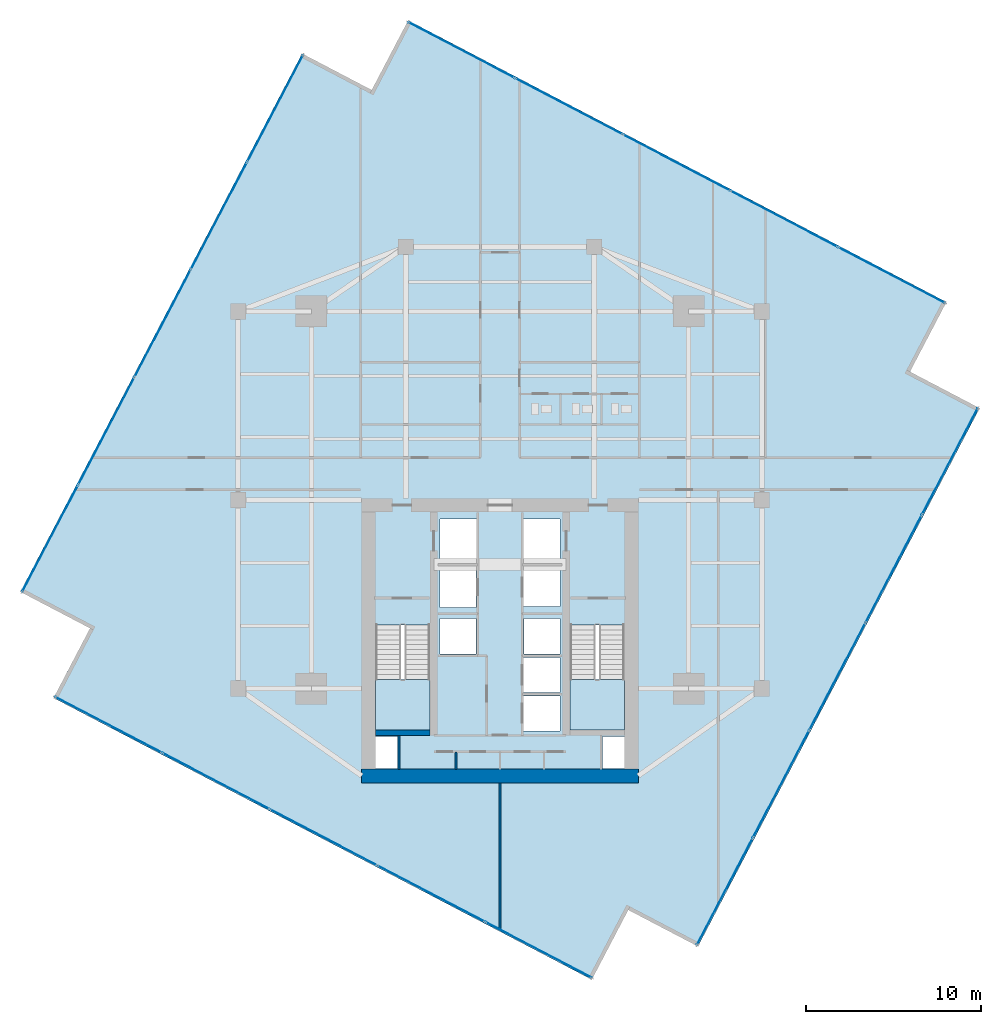
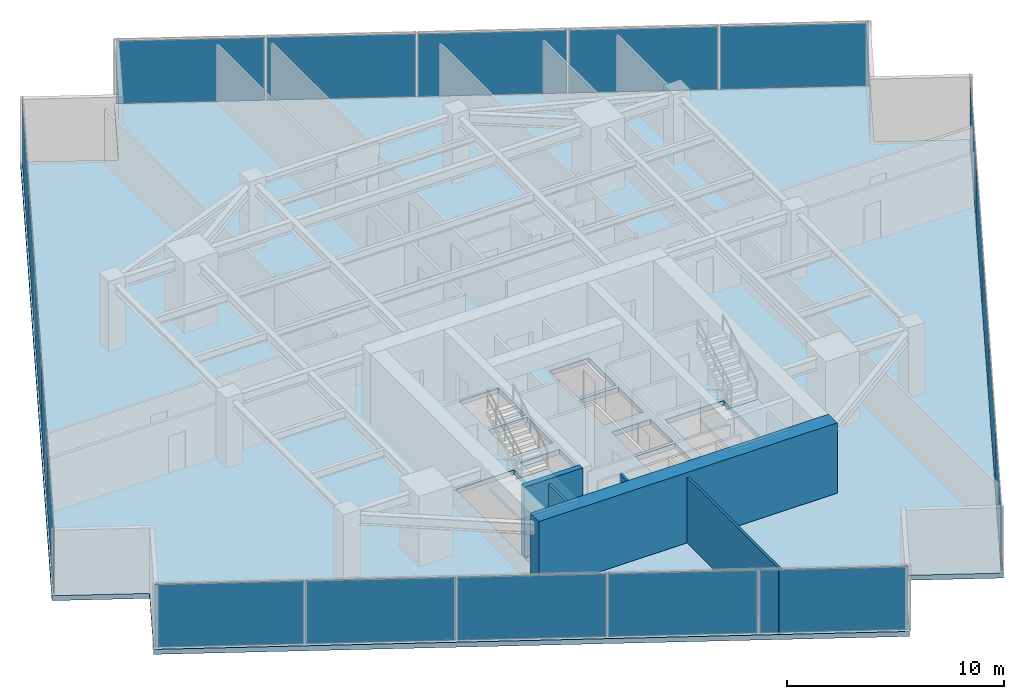
# One storey, part 22 of 27: 20 plates, 5 walls, 3 slabs, 6 elements without a shape of their own.
"""IFC4 building model written with IfcOpenShell, lengths in metres."""

from ifc_helpers import new_model, si_unit, direction, frame, frame_2d, origin, origin_2d, place, context, subcontext, project, spatial, polyline, rectangle, outline, extrude, source, transform, mapped, material, layer, layer_set, type_object, type_shapes, element, aggregate, save


model = new_model("IFC4")

# Units and contexts
model_context = context("Model", 3, precision=1e-05, world=origin(), true_north=direction((0.0, 1.0)))
body_context = subcontext(model_context, "Body", "Model", "MODEL_VIEW")
ifc_project = project(units=[si_unit("LENGTHUNIT", "METRE"), si_unit("AREAUNIT", "SQUARE_METRE"), si_unit("VOLUMEUNIT", "CUBIC_METRE"), si_unit("PLANEANGLEUNIT", "RADIAN"), si_unit("MASSUNIT", "GRAM", prefix="KILO")], contexts=[model_context])

# Site, building, storey
site_placement = place(None, origin())
site = spatial("IfcSite", under=ifc_project, at=site_placement, CompositionType="ELEMENT")
building_placement = place(site_placement, origin())
building = spatial("IfcBuilding", under=site, at=building_placement, Name="Krantzveldt Concourse Tower", CompositionType="ELEMENT")
storey_placement = place(building_placement, frame((0.0, 0.0, 154.10009765625)))
storey = spatial("IfcBuildingStorey", under=building, at=storey_placement, Name="L37", CompositionType="ELEMENT", Elevation=154.10009765625)

# Stair, slab
ifc_material_1 = material(Name="Precast concrete C40/50", Category="concrete")
stair_type = type_object("IfcStairType", Name="STR-CORE-DOGLEG", PredefinedType="HALF_TURN_STAIR", material=ifc_material_1)
stair_1_placement = place(storey_placement, origin())
stair_1 = element("IfcStair", 1, at=stair_1_placement, inside=storey, type_object=stair_type, Name="L37 Protected Escape Stair ST-1", PredefinedType="HALF_TURN_STAIR")
ifc_layer_1 = layer(ifc_material_1, 0.199951171875, Name="Precast concrete C40/50", Category="concrete")
ifc_layer_set_1 = layer_set([ifc_layer_1], Name="Precast concrete C40/50 (SL-LANDING-200)")
slab_type_1 = type_object("IfcSlabType", Name="SL-LANDING-200", PredefinedType="LANDING", material=ifc_layer_set_1)
slab_1_placement = place(storey_placement, frame((0.0, 0.0, 1.77490234375)))
slab_1 = element("IfcSlab", 2, at=slab_1_placement, type_object=slab_type_1, Name="ST-1 landing 1", PredefinedType="LANDING", context=body_context, shape_type="SweptSolid", body=[
    extrude(outline(polyline([(28.8798828125, 16.4150390625), (28.8798828125, 13.52001953125), (31.97998046875, 13.52001953125), (31.97998046875, 16.4150390625), (28.8798828125, 16.4150390625)])), origin(), (0.0, 0.0, 1.0), 0.199951171875),
])
aggregate(stair_1, [slab_1])

stair_2_placement = place(storey_placement, origin())
stair_2 = element("IfcStair", 3, at=stair_2_placement, inside=storey, type_object=stair_type, Name="L37 Protected Escape Stair ST-2", PredefinedType="HALF_TURN_STAIR")
slab_2_placement = place(storey_placement, frame((0.0, 0.0, 1.77490234375)))
slab_2 = element("IfcSlab", 4, at=slab_2_placement, type_object=slab_type_1, Name="ST-2 landing 1", PredefinedType="LANDING", context=body_context, shape_type="SweptSolid", body=[
    extrude(outline(polyline([(40.02001953125, 16.4150390625), (40.02001953125, 13.52001953125), (43.1201171875, 13.52001953125), (43.1201171875, 16.4150390625), (40.02001953125, 16.4150390625)])), origin(), (0.0, 0.0, 1.0), 0.199951171875),
])
aggregate(stair_2, [slab_2])

# Slab
ifc_material_2 = material(Name="Concrete C40/50", Category="concrete")
ifc_layer_2 = layer(ifc_material_2, 0.280029296875, Name="Concrete C40/50", Category="concrete")
ifc_layer_set_2 = layer_set([ifc_layer_2], Name="Concrete C40/50 (SL-SL-TWR280)")
slab_type_2 = type_object("IfcSlabType", Name="SL-SL-TWR280", PredefinedType="FLOOR", material=ifc_layer_set_2)
slab_3_placement = place(storey_placement, frame((0.0, 0.0, -0.280029296875)))
element("IfcSlab", 5, at=slab_3_placement, inside=storey, type_object=slab_type_2, Name="SL-L37-MAIN", PredefinedType="FLOOR", context=body_context, shape_type="SweptSolid", body=[
    extrude(outline(polyline([(28.651611328125, 50.1845703125), (24.66455078125, 52.27099609375), (8.528564453125, 21.438232421875), (12.515380859375, 19.3515625), (10.428955078125, 15.36474609375), (41.26171875, -0.771484375), (43.348388671875, 3.215576171875), (47.33544921875, 1.12890625), (63.471435546875, 31.961669921875), (59.484619140625, 34.04833984375), (61.571044921875, 38.035400390625), (30.73828125, 54.171630859375), (28.651611328125, 50.1845703125)]), holes=[polyline([(28.8798828125, 19.547607421875), (28.8798828125, 13.52001953125), (31.97998046875, 13.52001953125), (31.97998046875, 19.547607421875), (28.8798828125, 19.547607421875)]), polyline([(40.02001953125, 19.547607421875), (40.02001953125, 13.52001953125), (43.1201171875, 13.52001953125), (43.1201171875, 19.547607421875), (40.02001953125, 19.547607421875)]), polyline([(32.550048828125, 23.10009765625), (34.64990234375, 23.10009765625), (34.64990234375, 25.60009765625), (32.550048828125, 25.60009765625), (32.550048828125, 23.10009765625)]), polyline([(37.35009765625, 23.10009765625), (39.449951171875, 23.10009765625), (39.449951171875, 25.60009765625), (37.35009765625, 25.60009765625), (37.35009765625, 23.10009765625)]), polyline([(37.35009765625, 20.60009765625), (39.449951171875, 20.60009765625), (39.449951171875, 22.89990234375), (37.35009765625, 22.89990234375), (37.35009765625, 20.60009765625)]), polyline([(37.35009765625, 13.47998046875), (39.449951171875, 13.47998046875), (39.449951171875, 15.47998046875), (37.35009765625, 15.47998046875), (37.35009765625, 13.47998046875)]), polyline([(37.35009765625, 15.679931640625), (39.449951171875, 15.679931640625), (39.449951171875, 17.679931640625), (37.35009765625, 17.679931640625), (37.35009765625, 15.679931640625)]), polyline([(32.550048828125, 20.550048828125), (34.6201171875, 20.550048828125), (34.6201171875, 22.89990234375), (32.550048828125, 22.89990234375), (32.550048828125, 20.550048828125)]), polyline([(32.550048828125, 17.8798828125), (34.6201171875, 17.8798828125), (34.6201171875, 19.919921875), (32.550048828125, 19.919921875), (32.550048828125, 17.8798828125)]), polyline([(37.3798828125, 17.8798828125), (39.449951171875, 17.8798828125), (39.449951171875, 19.919921875), (37.3798828125, 19.919921875), (37.3798828125, 17.8798828125)]), polyline([(28.8798828125, 11.320068359375), (30.139892578125, 11.320068359375), (30.139892578125, 13.159912109375), (28.8798828125, 13.159912109375), (28.8798828125, 11.320068359375)]), polyline([(41.860107421875, 11.320068359375), (43.1201171875, 11.320068359375), (43.1201171875, 13.159912109375), (41.860107421875, 13.159912109375), (41.860107421875, 11.320068359375)])]), origin(), (0.0, 0.0, 1.0), 0.280029296875),
])

# Curtain wall, plates
ifc_material_3 = material(Name="Anodised aluminium 6063-T6", Category="aluminium")
curtain_wall_type = type_object("IfcCurtainWallType", Name="CW3", PredefinedType="USERDEFINED", material=ifc_material_3)
curtain_wall_1_placement = place(storey_placement, origin())
curtain_wall_1 = element("IfcCurtainWall", 6, at=curtain_wall_1_placement, inside=storey, type_object=curtain_wall_type, Name="CW-L37-F01", ObjectType="UNITISED CURTAIN WALL", PredefinedType="USERDEFINED")
ifc_material_4 = material(Name="Bronze-tinted laminated low-E IGU glass", Category="glass")
ifc_layer_3 = layer(ifc_material_4, 0.031982421875, Name="Bronze-tinted laminated low-E IGU glass", Category="glass")
ifc_layer_set_3 = layer_set([ifc_layer_3], Name="Bronze-tinted laminated low-E IGU glass (CW-GLZ-32)")
plate_type = type_object("IfcPlateType", Name="CW-GLZ-32", PredefinedType="CURTAIN_PANEL", material=ifc_layer_set_3)
shared_shape_1 = source(origin(), body_context, "Body", "SweptSolid", [
    extrude(rectangle(XDim=6.85498046875, YDim=0.031982421875, at=origin_2d()), origin(), (0.0, 0.0, 1.0), 3.530029296875),
])
plate_1_placement = place(storey_placement, frame((23.12255859375, 49.130615234375, 0.06982421875), z_axis=(0.0, 0.0, 1.0), x_axis=(-0.463682819502, -0.886001265743, 0.0)))
plate_1 = element("IfcPlate", 7, at=plate_1_placement, type_object=plate_type, Name="CW-Z34 panel 1.1", PredefinedType="CURTAIN_PANEL", context=body_context, shape_type="MappedRepresentation", body=[
    mapped(shared_shape_1, transform((0.0, 0.0, 0.0), x_axis=(1.0, 0.0, 0.0), y_axis=(0.0, 1.0, 0.0), z_axis=(0.0, 0.0, 1.0), scale=1.0)),
])
plate_2_placement = place(storey_placement, frame((10.22998046875, 24.495361328125, 0.06982421875), z_axis=(0.0, 0.0, 1.0), x_axis=(-0.463682819502, -0.886001265743, 0.0)))
plate_2 = element("IfcPlate", 8, at=plate_2_placement, type_object=plate_type, Name="CW-Z34 panel 5.1", PredefinedType="CURTAIN_PANEL", context=body_context, shape_type="MappedRepresentation", body=[
    mapped(shared_shape_1, transform((0.0, 0.0, 0.0), x_axis=(1.0, 0.0, 0.0), y_axis=(0.0, 1.0, 0.0), z_axis=(0.0, 0.0, 1.0), scale=1.0)),
])

curtain_wall_2_placement = place(storey_placement, origin())
curtain_wall_2 = element("IfcCurtainWall", 9, at=curtain_wall_2_placement, inside=storey, type_object=curtain_wall_type, Name="CW-L37-F04", ObjectType="UNITISED CURTAIN WALL", PredefinedType="USERDEFINED")
plate_3_placement = place(storey_placement, frame((13.5693359375, 13.82275390625, 0.06982421875), z_axis=(0.0, 0.0, 1.0), x_axis=(0.886001265743, -0.463682819502, 0.0)))
plate_3 = element("IfcPlate", 10, at=plate_3_placement, type_object=plate_type, Name="CW-Z34 panel 1.1", PredefinedType="CURTAIN_PANEL", context=body_context, shape_type="MappedRepresentation", body=[
    mapped(shared_shape_1, transform((0.0, 0.0, 0.0), x_axis=(1.0, 0.0, 0.0), y_axis=(0.0, 1.0, 0.0), z_axis=(0.0, 0.0, 1.0), scale=1.0)),
])
plate_4_placement = place(storey_placement, frame((38.20458984375, 0.929931640625, 0.06982421875), z_axis=(0.0, 0.0, 1.0), x_axis=(0.886001265743, -0.463682819502, 0.0)))
plate_4 = element("IfcPlate", 11, at=plate_4_placement, type_object=plate_type, Name="CW-Z34 panel 5.1", PredefinedType="CURTAIN_PANEL", context=body_context, shape_type="MappedRepresentation", body=[
    mapped(shared_shape_1, transform((0.0, 0.0, 0.0), x_axis=(1.0, 0.0, 0.0), y_axis=(0.0, 1.0, 0.0), z_axis=(0.0, 0.0, 1.0), scale=1.0)),
])

curtain_wall_3_placement = place(storey_placement, origin())
curtain_wall_3 = element("IfcCurtainWall", 12, at=curtain_wall_3_placement, inside=storey, type_object=curtain_wall_type, Name="CW-L37-F07", ObjectType="UNITISED CURTAIN WALL", PredefinedType="USERDEFINED")
plate_5_placement = place(storey_placement, frame((48.87744140625, 4.26953125, 0.06982421875), z_axis=(0.0, 0.0, 1.0), x_axis=(0.463682819502, 0.886001265743, 0.0)))
plate_5 = element("IfcPlate", 13, at=plate_5_placement, type_object=plate_type, Name="CW-Z34 panel 1.1", PredefinedType="CURTAIN_PANEL", context=body_context, shape_type="MappedRepresentation", body=[
    mapped(shared_shape_1, transform((0.0, 0.0, 0.0), x_axis=(1.0, 0.0, 0.0), y_axis=(0.0, 1.0, 0.0), z_axis=(0.0, 0.0, 1.0), scale=1.0)),
])
plate_6_placement = place(storey_placement, frame((61.77001953125, 28.90478515625, 0.06982421875), z_axis=(0.0, 0.0, 1.0), x_axis=(0.463682819502, 0.886001265743, 0.0)))
plate_6 = element("IfcPlate", 14, at=plate_6_placement, type_object=plate_type, Name="CW-Z34 panel 5.1", PredefinedType="CURTAIN_PANEL", context=body_context, shape_type="MappedRepresentation", body=[
    mapped(shared_shape_1, transform((0.0, 0.0, 0.0), x_axis=(1.0, 0.0, 0.0), y_axis=(0.0, 1.0, 0.0), z_axis=(0.0, 0.0, 1.0), scale=1.0)),
])

curtain_wall_4_placement = place(storey_placement, origin())
curtain_wall_4 = element("IfcCurtainWall", 15, at=curtain_wall_4_placement, inside=storey, type_object=curtain_wall_type, Name="CW-L37-F10", ObjectType="UNITISED CURTAIN WALL", PredefinedType="USERDEFINED")
plate_7_placement = place(storey_placement, frame((58.4306640625, 39.577392578125, 0.06982421875), z_axis=(0.0, 0.0, 1.0), x_axis=(-0.886001265743, 0.463682819502, 0.0)))
plate_7 = element("IfcPlate", 16, at=plate_7_placement, type_object=plate_type, Name="CW-Z34 panel 1.1", PredefinedType="CURTAIN_PANEL", context=body_context, shape_type="MappedRepresentation", body=[
    mapped(shared_shape_1, transform((0.0, 0.0, 0.0), x_axis=(1.0, 0.0, 0.0), y_axis=(0.0, 1.0, 0.0), z_axis=(0.0, 0.0, 1.0), scale=1.0)),
])
plate_8_placement = place(storey_placement, frame((33.79541015625, 52.469970703125, 0.06982421875), z_axis=(0.0, 0.0, 1.0), x_axis=(-0.886001265743, 0.463682819502, 0.0)))
plate_8 = element("IfcPlate", 17, at=plate_8_placement, type_object=plate_type, Name="CW-Z34 panel 5.1", PredefinedType="CURTAIN_PANEL", context=body_context, shape_type="MappedRepresentation", body=[
    mapped(shared_shape_1, transform((0.0, 0.0, 0.0), x_axis=(1.0, 0.0, 0.0), y_axis=(0.0, 1.0, 0.0), z_axis=(0.0, 0.0, 1.0), scale=1.0)),
])

# Plate
shared_shape_2 = source(origin(), body_context, "Body", "SweptSolid", [
    extrude(rectangle(XDim=6.889892578125, YDim=0.031982421875, at=origin_2d()), origin(), (0.0, 0.0, 1.0), 3.530029296875),
])
type_shapes(plate_type, [shared_shape_1, shared_shape_2])
plate_9_placement = place(storey_placement, frame((19.903564453125, 42.9794921875, 0.06982421875), z_axis=(0.0, 0.0, 1.0), x_axis=(-0.463682819502, -0.886001265743, 0.0)))
plate_9 = element("IfcPlate", 18, at=plate_9_placement, type_object=plate_type, Name="CW-Z34 panel 2.1", PredefinedType="CURTAIN_PANEL", context=body_context, shape_type="MappedRepresentation", body=[
    mapped(shared_shape_2, transform((0.0, 0.0, 0.0), x_axis=(1.0, 0.0, 0.0), y_axis=(0.0, 1.0, 0.0), z_axis=(0.0, 0.0, 1.0), scale=1.0)),
])

plate_10_placement = place(storey_placement, frame((16.67626953125, 36.81298828125, 0.06982421875), z_axis=(0.0, 0.0, 1.0), x_axis=(-0.463682819502, -0.886001265743, 0.0)))
plate_10 = element("IfcPlate", 19, at=plate_10_placement, type_object=plate_type, Name="CW-Z34 panel 3.1", PredefinedType="CURTAIN_PANEL", context=body_context, shape_type="MappedRepresentation", body=[
    mapped(shared_shape_2, transform((0.0, 0.0, 0.0), x_axis=(1.0, 0.0, 0.0), y_axis=(0.0, 1.0, 0.0), z_axis=(0.0, 0.0, 1.0), scale=1.0)),
])

plate_11_placement = place(storey_placement, frame((13.448974609375, 30.646240234375, 0.06982421875), z_axis=(0.0, 0.0, 1.0), x_axis=(-0.463682819502, -0.886001265743, 0.0)))
plate_11 = element("IfcPlate", 20, at=plate_11_placement, type_object=plate_type, Name="CW-Z34 panel 4.1", PredefinedType="CURTAIN_PANEL", context=body_context, shape_type="MappedRepresentation", body=[
    mapped(shared_shape_2, transform((0.0, 0.0, 0.0), x_axis=(1.0, 0.0, 0.0), y_axis=(0.0, 1.0, 0.0), z_axis=(0.0, 0.0, 1.0), scale=1.0)),
])

aggregate(curtain_wall_1, [plate_1, plate_9, plate_10, plate_11, plate_2])

plate_12_placement = place(storey_placement, frame((19.720458984375, 10.603515625, 0.06982421875), z_axis=(0.0, 0.0, 1.0), x_axis=(0.886001265743, -0.463682819502, 0.0)))
plate_12 = element("IfcPlate", 21, at=plate_12_placement, type_object=plate_type, Name="CW-Z34 panel 2.1", PredefinedType="CURTAIN_PANEL", context=body_context, shape_type="MappedRepresentation", body=[
    mapped(shared_shape_2, transform((0.0, 0.0, 0.0), x_axis=(1.0, 0.0, 0.0), y_axis=(0.0, 1.0, 0.0), z_axis=(0.0, 0.0, 1.0), scale=1.0)),
])

plate_13_placement = place(storey_placement, frame((25.886962890625, 7.376220703125, 0.06982421875), z_axis=(0.0, 0.0, 1.0), x_axis=(0.886001265743, -0.463682819502, 0.0)))
plate_13 = element("IfcPlate", 22, at=plate_13_placement, type_object=plate_type, Name="CW-Z34 panel 3.1", PredefinedType="CURTAIN_PANEL", context=body_context, shape_type="MappedRepresentation", body=[
    mapped(shared_shape_2, transform((0.0, 0.0, 0.0), x_axis=(1.0, 0.0, 0.0), y_axis=(0.0, 1.0, 0.0), z_axis=(0.0, 0.0, 1.0), scale=1.0)),
])

plate_14_placement = place(storey_placement, frame((32.0537109375, 4.149169921875, 0.06982421875), z_axis=(0.0, 0.0, 1.0), x_axis=(0.886001265743, -0.463682819502, 0.0)))
plate_14 = element("IfcPlate", 23, at=plate_14_placement, type_object=plate_type, Name="CW-Z34 panel 4.1", PredefinedType="CURTAIN_PANEL", context=body_context, shape_type="MappedRepresentation", body=[
    mapped(shared_shape_2, transform((0.0, 0.0, 0.0), x_axis=(1.0, 0.0, 0.0), y_axis=(0.0, 1.0, 0.0), z_axis=(0.0, 0.0, 1.0), scale=1.0)),
])

aggregate(curtain_wall_2, [plate_3, plate_12, plate_13, plate_14, plate_4])

plate_15_placement = place(storey_placement, frame((52.096435546875, 10.42041015625, 0.06982421875), z_axis=(0.0, 0.0, 1.0), x_axis=(0.463682819502, 0.886001265743, 0.0)))
plate_15 = element("IfcPlate", 24, at=plate_15_placement, type_object=plate_type, Name="CW-Z34 panel 2.1", PredefinedType="CURTAIN_PANEL", context=body_context, shape_type="MappedRepresentation", body=[
    mapped(shared_shape_2, transform((0.0, 0.0, 0.0), x_axis=(1.0, 0.0, 0.0), y_axis=(0.0, 1.0, 0.0), z_axis=(0.0, 0.0, 1.0), scale=1.0)),
])

plate_16_placement = place(storey_placement, frame((55.32373046875, 16.587158203125, 0.06982421875), z_axis=(0.0, 0.0, 1.0), x_axis=(0.463682819502, 0.886001265743, 0.0)))
plate_16 = element("IfcPlate", 25, at=plate_16_placement, type_object=plate_type, Name="CW-Z34 panel 3.1", PredefinedType="CURTAIN_PANEL", context=body_context, shape_type="MappedRepresentation", body=[
    mapped(shared_shape_2, transform((0.0, 0.0, 0.0), x_axis=(1.0, 0.0, 0.0), y_axis=(0.0, 1.0, 0.0), z_axis=(0.0, 0.0, 1.0), scale=1.0)),
])

plate_17_placement = place(storey_placement, frame((58.551025390625, 22.753662109375, 0.06982421875), z_axis=(0.0, 0.0, 1.0), x_axis=(0.463682819502, 0.886001265743, 0.0)))
plate_17 = element("IfcPlate", 26, at=plate_17_placement, type_object=plate_type, Name="CW-Z34 panel 4.1", PredefinedType="CURTAIN_PANEL", context=body_context, shape_type="MappedRepresentation", body=[
    mapped(shared_shape_2, transform((0.0, 0.0, 0.0), x_axis=(1.0, 0.0, 0.0), y_axis=(0.0, 1.0, 0.0), z_axis=(0.0, 0.0, 1.0), scale=1.0)),
])

aggregate(curtain_wall_3, [plate_5, plate_15, plate_16, plate_17, plate_6])

plate_18_placement = place(storey_placement, frame((52.279541015625, 42.79638671875, 0.06982421875), z_axis=(0.0, 0.0, 1.0), x_axis=(-0.886001265743, 0.463682819502, 0.0)))
plate_18 = element("IfcPlate", 27, at=plate_18_placement, type_object=plate_type, Name="CW-Z34 panel 2.1", PredefinedType="CURTAIN_PANEL", context=body_context, shape_type="MappedRepresentation", body=[
    mapped(shared_shape_2, transform((0.0, 0.0, 0.0), x_axis=(1.0, 0.0, 0.0), y_axis=(0.0, 1.0, 0.0), z_axis=(0.0, 0.0, 1.0), scale=1.0)),
])

plate_19_placement = place(storey_placement, frame((46.113037109375, 46.023681640625, 0.06982421875), z_axis=(0.0, 0.0, 1.0), x_axis=(-0.886001265743, 0.463682819502, 0.0)))
plate_19 = element("IfcPlate", 28, at=plate_19_placement, type_object=plate_type, Name="CW-Z34 panel 3.1", PredefinedType="CURTAIN_PANEL", context=body_context, shape_type="MappedRepresentation", body=[
    mapped(shared_shape_2, transform((0.0, 0.0, 0.0), x_axis=(1.0, 0.0, 0.0), y_axis=(0.0, 1.0, 0.0), z_axis=(0.0, 0.0, 1.0), scale=1.0)),
])

plate_20_placement = place(storey_placement, frame((39.9462890625, 49.2509765625, 0.06982421875), z_axis=(0.0, 0.0, 1.0), x_axis=(-0.886001265743, 0.463682819502, 0.0)))
plate_20 = element("IfcPlate", 29, at=plate_20_placement, type_object=plate_type, Name="CW-Z34 panel 4.1", PredefinedType="CURTAIN_PANEL", context=body_context, shape_type="MappedRepresentation", body=[
    mapped(shared_shape_2, transform((0.0, 0.0, 0.0), x_axis=(1.0, 0.0, 0.0), y_axis=(0.0, 1.0, 0.0), z_axis=(0.0, 0.0, 1.0), scale=1.0)),
])

aggregate(curtain_wall_4, [plate_7, plate_18, plate_19, plate_20, plate_8])

# Walls
ifc_material_5 = material(Name="Fire-rated gypsum plasterboard on steel stud", Category="steel")
ifc_layer_4 = layer(ifc_material_5, 0.1201171875, Name="Fire-rated gypsum plasterboard on steel stud", Category="steel")
ifc_layer_set_4 = layer_set([ifc_layer_4], Name="Fire-rated gypsum plasterboard on steel stud (WL-PART-120)")
wall_type_1 = type_object("IfcWallType", Name="WL-PART-120", PredefinedType="PARTITIONING", material=ifc_layer_set_4)
wall_1_placement = place(storey_placement, frame((33.469970703125, 11.25, 0.0), z_axis=(0.0, 0.0, 1.0), x_axis=(0.0, 1.0, 0.0)))
element("IfcWall", 30, at=wall_1_placement, inside=storey, type_object=wall_type_1, Name="WP-L37-CSD-V1", PredefinedType="PARTITIONING", context=body_context, shape_type="SweptSolid", body=[
    extrude(rectangle(XDim=1.030029296875, YDim=0.1201171875, at=frame_2d((0.51513671875, 0.0))), origin(), (0.0, 0.0, 1.0), 3.669921875),
])
wall_2_placement = place(storey_placement, frame((36.0, 2.083740234375, 0.0), z_axis=(0.0, 0.0, 1.0), x_axis=(0.0, 1.0, 0.0)))
element("IfcWall", 31, at=wall_2_placement, inside=storey, type_object=wall_type_1, Name="WP-L37-SMID", PredefinedType="PARTITIONING", context=body_context, shape_type="SweptSolid", body=[
    extrude(rectangle(XDim=8.416259765625, YDim=0.1201171875, at=frame_2d((4.2080078125, 0.0))), origin(), (0.0, 0.0, 1.0), 3.669921875),
])
ifc_layer_5 = layer(ifc_material_5, 0.139892578125, Name="Fire-rated gypsum plasterboard on steel stud", Category="steel")
ifc_layer_set_5 = layer_set([ifc_layer_5], Name="Fire-rated gypsum plasterboard on steel stud (WL-PART-FR140)")
wall_type_2 = type_object("IfcWallType", Name="WL-PART-FR140", PredefinedType="PARTITIONING", material=ifc_layer_set_5)
wall_3_placement = place(storey_placement, frame((30.219970703125, 11.25, 0.0), z_axis=(0.0, 0.0, 1.0), x_axis=(0.0, 1.0, 0.0)))
element("IfcWall", 32, at=wall_3_placement, inside=storey, type_object=wall_type_2, Name="WP-L37-RSW", PredefinedType="PARTITIONING", context=body_context, shape_type="SweptSolid", body=[
    extrude(rectangle(XDim=1.969970703125, YDim=0.1201171875, at=frame_2d((0.98486328125, 0.0))), origin(), (0.0, 0.0, 1.0), 3.669921875),
])
ifc_material_6 = material(Name="Concrete C50/60", Category="concrete")
ifc_layer_6 = layer(ifc_material_6, 0.300048828125, Name="Concrete C50/60", Category="concrete")
ifc_layer_set_6 = layer_set([ifc_layer_6], Name="Concrete C50/60 (WL-SHEAR-300)")
wall_type_3 = type_object("IfcWallType", Name="WL-SHEAR-300", PredefinedType="SHEAR", material=ifc_layer_set_6)
wall_4_placement = place(storey_placement, frame((28.8798828125, 13.3701171875, 0.0), z_axis=(0.0, 0.0, 1.0), x_axis=(1.0, 0.0, 0.0)))
element("IfcWall", 33, at=wall_4_placement, inside=storey, type_object=wall_type_3, Name="CW-L37-ST1S", PredefinedType="SHEAR", context=body_context, shape_type="SweptSolid", body=[
    extrude(rectangle(XDim=3.10009765625, YDim=0.300048828125, at=frame_2d((1.550048828125, 0.0))), origin(), (0.0, 0.0, 1.0), 3.949951171875),
])
ifc_material_7 = material(Name="Concrete C60/75", Category="concrete")
ifc_layer_7 = layer(ifc_material_7, 0.800048828125, Name="Concrete C60/75", Category="concrete")
ifc_layer_set_7 = layer_set([ifc_layer_7], Name="Concrete C60/75 (WL-SHEAR-800)")
wall_type_4 = type_object("IfcWallType", Name="WL-SHEAR-800", PredefinedType="SHEAR", material=ifc_layer_set_7)
wall_5_placement = place(storey_placement, frame((28.080078125, 10.89990234375, 0.0), z_axis=(0.0, 0.0, 1.0), x_axis=(1.0, 0.0, 0.0)))
element("IfcWall", 34, at=wall_5_placement, inside=storey, type_object=wall_type_4, Name="CW-L37-S", PredefinedType="SHEAR", context=body_context, shape_type="SweptSolid", body=[
    extrude(rectangle(XDim=15.83984375, YDim=0.800048828125, at=frame_2d((7.919921875, 0.0))), origin(), (0.0, 0.0, 1.0), 3.949951171875),
])

save(model, "model.ifc")
